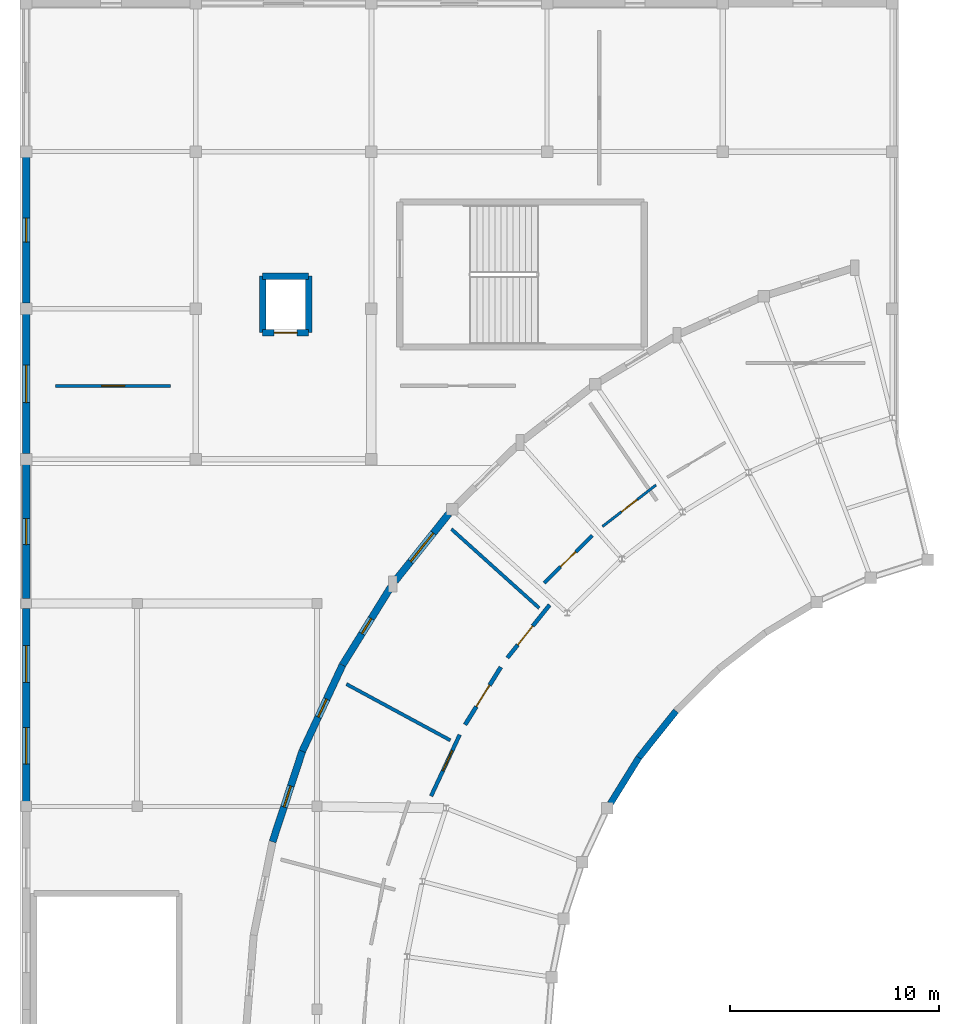
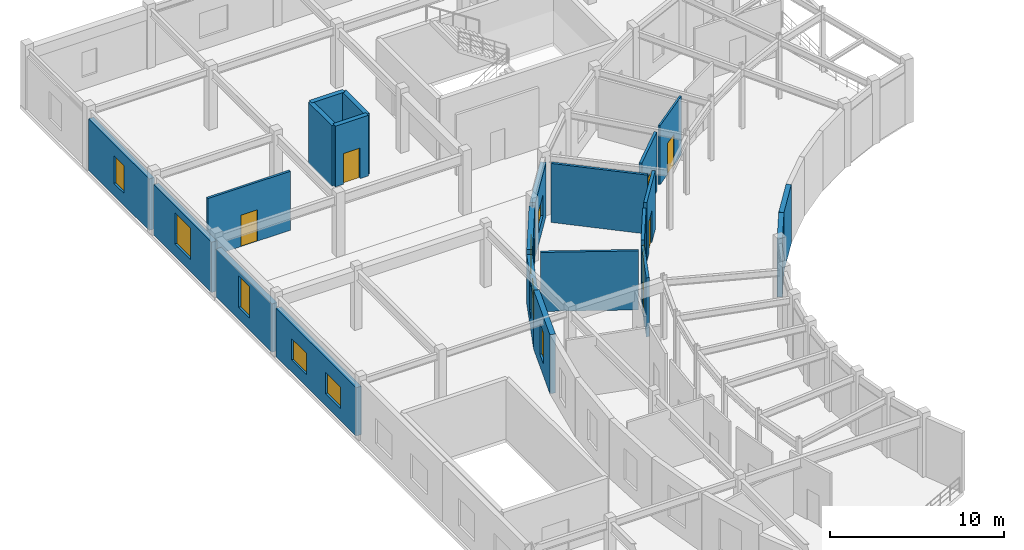
# One storey, part 42 of 60: 22 walls, 9 windows, 7 doors, 16 openings.
"""IFC4 building model written with IfcOpenShell, lengths in metres."""

import ifcopenshell
import ifcopenshell.guid

model = None  # the IFC model being written
_history = None  # IfcOwnerHistory: only IFC2X3 demands one
_inside = {}  # id of a spatial element -> (the spatial element, [elements in it])
_under = {}  # id of a project, library or spatial element -> (it, [spatial elements below it])
_declared = {}  # id of a project -> (the project, [libraries it declares])
_typed = {}  # id of a type object -> (the type object, [elements of that type])
_made_of = {}  # id of a material, layer set ... -> (it, [elements and type objects made of it])


def new_model(schema):
    """Start an empty IFC model of exactly this schema.

    Asked for "IFC4X3", IfcOpenShell would pick the latest addendum, in which some entities
    have other attributes; the version numbers below select the first issue.
    IFC2X3 requires an IfcOwnerHistory on every rooted entity: one is made here for all.
    """
    global model, _history
    if schema == "IFC4X3":
        model = ifcopenshell.file(schema_version=(4, 3, 0, 0))
    else:
        model = ifcopenshell.file(schema=schema)
    _inside.clear()
    _under.clear()
    _declared.clear()
    _typed.clear()
    _made_of.clear()
    _history = None
    if model.schema == "IFC2X3":
        org = make("IfcOrganization", Name="unknown")
        user = make(
            "IfcPersonAndOrganization",
            ThePerson=make("IfcPerson", FamilyName="unknown"),
            TheOrganization=org,
        )
        app = make(
            "IfcApplication",
            ApplicationDeveloper=org,
            Version="unknown",
            ApplicationFullName="unknown",
            ApplicationIdentifier="unknown",
        )
        _history = make(
            "IfcOwnerHistory",
            OwningUser=user,
            OwningApplication=app,
            ChangeAction="ADDED",
            CreationDate=0,
        )
    return model


def make(cls, **values):
    """One entity of the class cls with the attributes given. An attribute that is None is left unset."""
    return model.create_entity(
        cls, **{name: value for name, value in values.items() if value is not None}
    )


def rooted(cls, **values):
    """An entity with a GlobalId (a new one), such as an element, a storey or a relation."""
    return make(cls, GlobalId=ifcopenshell.guid.new(), OwnerHistory=_history, **values)


def si_unit(unit_type, name, prefix=None):
    """IfcSIUnit, for example si_unit("LENGTHUNIT", "METRE", prefix="MILLI")."""
    return make("IfcSIUnit", UnitType=unit_type, Prefix=prefix, Name=name)


def assignment(units):
    """IfcUnitAssignment: the units of a project."""
    return None if units is None else make("IfcUnitAssignment", Units=units)


def point(xyz):
    """IfcCartesianPoint."""
    return None if xyz is None else make("IfcCartesianPoint", Coordinates=xyz)


def direction(xyz):
    """IfcDirection."""
    return None if xyz is None else make("IfcDirection", DirectionRatios=xyz)


def frame(location, z_axis=None, x_axis=None):
    """IfcAxis2Placement3D, a coordinate frame: its origin and axes. An axis left out is left unset."""
    return make(
        "IfcAxis2Placement3D",
        Location=point(location),
        Axis=direction(z_axis),
        RefDirection=direction(x_axis),
    )


def frame_2d(location, x_axis=None):
    """IfcAxis2Placement2D, a coordinate frame in the plane: its origin and x axis."""
    return make(
        "IfcAxis2Placement2D", Location=point(location), RefDirection=direction(x_axis)
    )


def origin():
    """The frame at (0, 0, 0) with its axes left unset."""
    return frame((0.0, 0.0, 0.0))


def place(relative_to, where):
    """IfcLocalPlacement: puts the frame where relative to a parent placement (None: the world)."""
    return make(
        "IfcLocalPlacement", PlacementRelTo=relative_to, RelativePlacement=where
    )


def context(
    kind, dimensions, precision=None, world=None, true_north=None, identifier=None
):
    """IfcGeometricRepresentationContext, for example the 3D "Model" context."""
    return make(
        "IfcGeometricRepresentationContext",
        ContextIdentifier=identifier,
        ContextType=kind,
        CoordinateSpaceDimension=dimensions,
        Precision=precision,
        WorldCoordinateSystem=world,
        TrueNorth=true_north,
    )


def subcontext(parent, identifier, kind, view, scale=None):
    """IfcGeometricRepresentationSubContext, for example "Body" below "Model"."""
    return make(
        "IfcGeometricRepresentationSubContext",
        ContextIdentifier=identifier,
        ContextType=kind,
        ParentContext=parent,
        TargetScale=scale,
        TargetView=view,
    )


def project(units=None, contexts=None):
    """IfcProject with its units and contexts."""
    return rooted(
        "IfcProject",
        Name="project",
        RepresentationContexts=contexts,
        UnitsInContext=assignment(units),
    )


def spatial(cls, under=None, at=None, **own):
    """A site, building, storey or space (cls), placed at a placement, below another one or the project."""
    s = rooted(cls, ObjectPlacement=at, **own)
    if under is not None:
        _under.setdefault(under.id(), (under, []))[1].append(s)
    return s


def profile(cls, at=None, kind="AREA", **sizes):
    """A parametric profile (cls). Its sizes go by their IFC names, for example OverallWidth=200.0."""
    return make(cls, ProfileType=kind, Position=at, **sizes)


def rectangle(**sizes):
    """IfcRectangleProfileDef."""
    return profile("IfcRectangleProfileDef", **sizes)


def extrude(swept, where, along, depth):
    """IfcExtrudedAreaSolid: the profile swept, set in the frame where, extruded along a direction by depth."""
    return make(
        "IfcExtrudedAreaSolid",
        SweptArea=swept,
        Position=where,
        ExtrudedDirection=direction(along),
        Depth=depth,
    )


def shape(context_of_items, identifier, shape_type, items):
    """IfcShapeRepresentation: the items that make up one representation, for example the "Body"."""
    return make(
        "IfcShapeRepresentation",
        ContextOfItems=context_of_items,
        RepresentationIdentifier=identifier,
        RepresentationType=shape_type,
        Items=items,
    )


def material(Name=None, Category=None):
    """IfcMaterial."""
    return make("IfcMaterial", Name=Name, Category=Category)


def layer(
    of_material, thickness, ventilated=None, Name=None, Category=None, Priority=None
):
    """IfcMaterialLayer: one layer of a wall or slab, of a material (None: an air gap)."""
    return make(
        "IfcMaterialLayer",
        Material=of_material,
        LayerThickness=thickness,
        IsVentilated=ventilated,
        Name=Name,
        Category=Category,
        Priority=Priority,
    )


def layer_set(layers, Name=None):
    """IfcMaterialLayerSet."""
    return make("IfcMaterialLayerSet", MaterialLayers=layers, LayerSetName=Name)


def made_of(thing, what):
    """Note that an element or type object is made of a material, layer set ...; save() writes the relation."""
    if what is not None:
        _made_of.setdefault(what.id(), (what, []))[1].append(thing)
    return thing


def type_object(cls, material=None, **own):
    """A type object (cls), such as IfcWallType, which elements share."""
    return made_of(rooted(cls, **own), material)


def element(
    cls,
    number,
    at=None,
    inside=None,
    cuts=None,
    type_object=None,
    material=None,
    context=None,
    identifier="Body",
    shape_type=None,
    held_by="IfcProductDefinitionShape",
    body=None,
    shapes=None,
    **own,
):
    """One element of the class cls, such as IfcWall. Its Tag is "e" and its number.

    at: its placement. inside: the storey or other place that contains it. cuts: it is an
    opening in that element (IfcRelVoidsElement). A single representation is given by context,
    identifier, shape_type and body (its items); several are given by shapes. held_by: the class
    of the entity that holds the representations. save() writes the other relations.
    """
    e = rooted(cls, Tag="e%d" % number, ObjectPlacement=at, **own)
    if body is not None:
        shapes = [shape(context, identifier, shape_type, body)]
    if shapes is not None:
        e.Representation = make(held_by, Representations=shapes)
    if inside is not None:
        _inside.setdefault(inside.id(), (inside, []))[1].append(e)
    if cuts is not None:
        rooted(
            "IfcRelVoidsElement", RelatingBuildingElement=cuts, RelatedOpeningElement=e
        )
    if type_object is not None:
        _typed.setdefault(type_object.id(), (type_object, []))[1].append(e)
    return made_of(e, material)


def fill(opening, filler):
    """IfcRelFillsElement: the door or window that sits in an opening."""
    return rooted(
        "IfcRelFillsElement",
        RelatingOpeningElement=opening,
        RelatedBuildingElement=filler,
    )


def aggregate(whole, parts):
    """IfcRelAggregates: a whole, such as a stair, and the parts it consists of."""
    return rooted("IfcRelAggregates", RelatingObject=whole, RelatedObjects=parts)


def save(model, path):
    """Write the relations noted so far, then the file.

    IfcRelAggregates (storeys below a building ...), IfcRelContainedInSpatialStructure (elements
    in a storey), IfcRelDefinesByType, IfcRelAssociatesMaterial and IfcRelDeclares: one each for
    every whole, place, type object, material and project.
    """
    for whole, parts in _under.values():
        aggregate(whole, parts)
    for where, things in _inside.values():
        rooted(
            "IfcRelContainedInSpatialStructure",
            RelatedElements=things,
            RelatingStructure=where,
        )
    for kind, things in _typed.values():
        rooted("IfcRelDefinesByType", RelatedObjects=things, RelatingType=kind)
    for what, things in _made_of.values():
        rooted("IfcRelAssociatesMaterial", RelatedObjects=things, RelatingMaterial=what)
    for by, libraries in _declared.values():
        rooted("IfcRelDeclares", RelatingContext=by, RelatedDefinitions=libraries)
    model.write(path)


model = new_model("IFC4")

# Units and contexts
model_context = context("Model", 3, precision=1e-05, world=origin(), true_north=direction((0.0, 1.0)))
body_context = subcontext(model_context, "Body", "Model", "MODEL_VIEW")
ifc_project = project(units=[si_unit("LENGTHUNIT", "METRE"), si_unit("AREAUNIT", "SQUARE_METRE"), si_unit("VOLUMEUNIT", "CUBIC_METRE"), si_unit("PLANEANGLEUNIT", "RADIAN"), si_unit("MASSUNIT", "GRAM", prefix="KILO")], contexts=[model_context])

# Site, building, storey
site_placement = place(None, origin())
site = spatial("IfcSite", under=ifc_project, at=site_placement, CompositionType="ELEMENT")
building_placement = place(site_placement, origin())
building = spatial("IfcBuilding", under=site, at=building_placement, Name="Cinderbank Siding Concert Hall", CompositionType="ELEMENT")
storey_placement = place(building_placement, frame((0.0, 0.0, 14.699951171875)))
storey = spatial("IfcBuildingStorey", under=building, at=storey_placement, Name="L04", CompositionType="ELEMENT", Elevation=14.699951171875)

# Wall, opening, door
ifc_material_1 = material(Name="Reinforced concrete AS 3600 N50 (50 MPa)", Category="concrete")
ifc_layer_1 = layer(ifc_material_1, 0.300048828125)
ifc_layer_set_1 = layer_set([ifc_layer_1], Name="Reinforced concrete AS 3600 N50 (50 MPa)")
wall_type_1 = type_object("IfcWallType", Name="WL-03 Structural Wall 300mm", PredefinedType="SHEAR", material=ifc_layer_set_1)
wall_1_placement = place(storey_placement, frame((20.60009765625, 102.14990234375, 0.0), z_axis=(0.0, 0.0, 1.0), x_axis=(-1.0, 0.0, 0.0)))
wall_1 = element("IfcWall", 1, at=wall_1_placement, inside=storey, type_object=wall_type_1, Name="L04 LF-06 Shaft Wall -Y", PredefinedType="SHEAR", context=body_context, shape_type="SweptSolid", body=[
    extrude(rectangle(XDim=2.2001953125, YDim=0.300048828125, at=frame_2d((1.10009765625, 0.0))), origin(), (0.0, 0.0, 1.0), 4.260009765625),
])
opening_1_placement = place(wall_1_placement, frame((0.550048828125, 0.0, 0.0)))
opening_1 = element("IfcOpeningElement", 2, at=opening_1_placement, cuts=wall_1, Name="Opening LD-01", PredefinedType="OPENING", context=body_context, shape_type="SweptSolid", body=[
    extrude(rectangle(XDim=1.10009765625, YDim=2.14990234375, at=frame_2d((0.550048828125, 1.074951171875))), frame((0.0, 0.162109375, 0.0), z_axis=(0.0, -1.0, 0.0), x_axis=(1.0, 0.0, 0.0)), (0.0, 0.0, 1.0), 0.323974609375),
])
ifc_material_2 = material(Name="Galvanised sheet steel acoustic fire door assembly", Category="steel")
door_type_1 = type_object("IfcDoorType", Name="LD-01 Interior Door 1100x2150", OperationType="DOUBLE_DOOR_SLIDING", PredefinedType="DOOR", material=ifc_material_2)
door_1_placement = place(opening_1_placement, origin())
door_1 = element("IfcDoor", 3, at=door_1_placement, inside=storey, type_object=door_type_1, Name="L04 LF-06 Sliding Landing Door", OperationType="DOUBLE_DOOR_SLIDING", OverallHeight=2.14990234375, OverallWidth=1.10009765625, PredefinedType="DOOR", context=body_context, shape_type="SweptSolid", body=[
    extrude(rectangle(XDim=1.10009765625, YDim=2.14990234375, at=frame_2d((0.550048828125, 1.074951171875))), frame((0.0, 0.02490234375, 0.0), z_axis=(0.0, -1.0, 0.0), x_axis=(1.0, 0.0, 0.0)), (0.0, 0.0, 1.0), 0.050048828125),
])
fill(opening_1, door_1)

# Walls
wall_2_placement = place(storey_placement, frame((20.60009765625, 104.85009765625, 0.0), z_axis=(0.0, 0.0, 1.0), x_axis=(0.0, -1.0, 0.0)))
element("IfcWall", 4, at=wall_2_placement, inside=storey, type_object=wall_type_1, Name="L04 LF-06 Shaft Wall +X", PredefinedType="SHEAR", context=body_context, shape_type="SweptSolid", body=[
    extrude(rectangle(XDim=2.7001953125, YDim=0.300048828125, at=frame_2d((1.35009765625, 0.0))), origin(), (0.0, 0.0, 1.0), 4.260009765625),
])
wall_3_placement = place(storey_placement, frame((18.39990234375, 104.85009765625, 0.0), z_axis=(0.0, 0.0, 1.0), x_axis=(1.0, 0.0, 0.0)))
element("IfcWall", 5, at=wall_3_placement, inside=storey, type_object=wall_type_1, Name="L04 LF-06 Shaft Wall +Y", PredefinedType="SHEAR", context=body_context, shape_type="SweptSolid", body=[
    extrude(rectangle(XDim=2.2001953125, YDim=0.300048828125, at=frame_2d((1.10009765625, 0.0))), origin(), (0.0, 0.0, 1.0), 4.260009765625),
])
wall_4_placement = place(storey_placement, frame((18.39990234375, 102.14990234375, 0.0), z_axis=(0.0, 0.0, 1.0), x_axis=(0.0, 1.0, 0.0)))
element("IfcWall", 6, at=wall_4_placement, inside=storey, type_object=wall_type_1, Name="L04 LF-06 Shaft Wall -X", PredefinedType="SHEAR", context=body_context, shape_type="SweptSolid", body=[
    extrude(rectangle(XDim=2.7001953125, YDim=0.300048828125, at=frame_2d((1.35009765625, 0.0))), origin(), (0.0, 0.0, 1.0), 4.260009765625),
])

# Wall, opening, window
ifc_material_3 = material(Name="Clinker clay brickwork masonry AS 3700 (20 MPa)", Category="masonry")
ifc_layer_2 = layer(ifc_material_3, 0.340087890625)
ifc_layer_set_2 = layer_set([ifc_layer_2], Name="Clinker clay brickwork masonry AS 3700 (20 MPa)")
wall_type_2 = type_object("IfcWallType", Name="WL-07 Exterior Wall 340mm", PredefinedType="STANDARD", material=ifc_layer_set_2)
wall_5_placement = place(storey_placement, frame((27.301025390625, 93.491455078125, 0.0), z_axis=(0.0, 0.0, 1.0), x_axis=(-0.623868827064, -0.781529069592, 0.0)))
wall_5 = element("IfcWall", 7, at=wall_5_placement, inside=storey, type_object=wall_type_2, Name="L04 Facade Wall EW-WOUT-L04-06", PredefinedType="STANDARD", context=body_context, shape_type="SweptSolid", body=[
    extrude(rectangle(XDim=4.10986328125, YDim=0.340087890625, at=frame_2d((2.054931640625, 0.0))), origin(), (0.0, 0.0, 1.0), 3.797119140625),
])
opening_2_placement = place(wall_5_placement, frame((1.179931640625, 0.0, 0.85009765625)))
opening_2 = element("IfcOpeningElement", 8, at=opening_2_placement, cuts=wall_5, Name="Opening WN-30", PredefinedType="OPENING", context=body_context, shape_type="SweptSolid", body=[
    extrude(rectangle(XDim=1.75, YDim=1.5, at=frame_2d((0.875, 0.75))), frame((0.0, 0.18212890625, 0.0), z_axis=(0.0, -1.0, 0.0), x_axis=(1.0, 0.0, 0.0)), (0.0, 0.0, 1.0), 0.364013671875),
])
ifc_material_4 = material(Name="Double-glazed laminated acoustic glass", Category="glass")
window_type_1 = type_object("IfcWindowType", Name="WN-30 Acoustic Casement Window 1750x1500", PartitioningType="DOUBLE_PANEL_VERTICAL", PredefinedType="WINDOW", material=ifc_material_4)
window_1_placement = place(opening_2_placement, origin())
window_1 = element("IfcWindow", 9, at=window_1_placement, inside=storey, type_object=window_type_1, Name="L04 Facade Window #46", OverallHeight=1.5, OverallWidth=1.75, PartitioningType="DOUBLE_PANEL_VERTICAL", PredefinedType="WINDOW", context=body_context, shape_type="SweptSolid", body=[
    extrude(rectangle(XDim=1.75, YDim=1.5, at=frame_2d((0.875, 0.75))), frame((0.0, 0.030029296875, 0.0), z_axis=(0.0, -1.0, 0.0), x_axis=(1.0, 0.0, 0.0)), (0.0, 0.0, 1.0), 0.06005859375),
])
fill(opening_2, window_1)

wall_6_placement = place(storey_placement, frame((24.524169921875, 89.977783203125, 0.0), z_axis=(0.0, 0.0, 1.0), x_axis=(-0.526962268349, -0.849888679614, 0.0)))
wall_6 = element("IfcWall", 10, at=wall_6_placement, inside=storey, type_object=wall_type_2, Name="L04 Facade Wall EW-WOUT-L04-07", PredefinedType="STANDARD", context=body_context, shape_type="SweptSolid", body=[
    extrude(rectangle(XDim=4.369873046875, YDim=0.340087890625, at=frame_2d((2.18505859375, 0.0))), origin(), (0.0, 0.0, 1.0), 3.797119140625),
])
opening_3_placement = place(wall_6_placement, frame((1.759765625, 0.0, 0.85009765625)))
opening_3 = element("IfcOpeningElement", 11, at=opening_3_placement, cuts=wall_6, Name="Opening WN-01", PredefinedType="OPENING", context=body_context, shape_type="SweptSolid", body=[
    extrude(rectangle(XDim=0.85009765625, YDim=2.199951171875, at=frame_2d((0.425048828125, 1.10009765625))), frame((0.0, 0.18212890625, 0.0), z_axis=(0.0, -1.0, 0.0), x_axis=(1.0, 0.0, 0.0)), (0.0, 0.0, 1.0), 0.364013671875),
])
window_type_2 = type_object("IfcWindowType", Name="WN-01 Acoustic Casement Window 850x2200", PartitioningType="DOUBLE_PANEL_VERTICAL", PredefinedType="WINDOW", material=ifc_material_4)
window_2_placement = place(opening_3_placement, origin())
window_2 = element("IfcWindow", 12, at=window_2_placement, inside=storey, type_object=window_type_2, Name="L04 Facade Window #47", OverallHeight=2.199951171875, OverallWidth=0.85009765625, PartitioningType="DOUBLE_PANEL_VERTICAL", PredefinedType="WINDOW", context=body_context, shape_type="SweptSolid", body=[
    extrude(rectangle(XDim=0.85009765625, YDim=2.199951171875, at=frame_2d((0.425048828125, 1.10009765625))), frame((0.0, 0.030029296875, 0.0), z_axis=(0.0, -1.0, 0.0), x_axis=(1.0, 0.0, 0.0)), (0.0, 0.0, 1.0), 0.06005859375),
])
fill(opening_3, window_2)

wall_7_placement = place(storey_placement, frame((22.221435546875, 86.263916015625, 0.0), z_axis=(0.0, 0.0, 1.0), x_axis=(-0.422603737243, -0.90631455978, 0.0)))
wall_7 = element("IfcWall", 13, at=wall_7_placement, inside=storey, type_object=wall_type_2, Name="L04 Facade Wall EW-WOUT-L04-08", PredefinedType="STANDARD", context=body_context, shape_type="SweptSolid", body=[
    extrude(rectangle(XDim=4.5546875, YDim=0.340087890625, at=frame_2d((2.27734375, 0.0))), origin(), (0.0, 0.0, 1.0), 3.447021484375),
])
opening_4_placement = place(wall_7_placement, frame((1.802490234375, 0.0, 0.85009765625)))
opening_4 = element("IfcOpeningElement", 14, at=opening_4_placement, cuts=wall_7, Name="Opening WN-02", PredefinedType="OPENING", context=body_context, shape_type="SweptSolid", body=[
    extrude(rectangle(XDim=0.949951171875, YDim=2.199951171875, at=frame_2d((0.47509765625, 1.10009765625))), frame((0.0, 0.18212890625, 0.0), z_axis=(0.0, -1.0, 0.0), x_axis=(1.0, 0.0, 0.0)), (0.0, 0.0, 1.0), 0.364013671875),
])
window_type_3 = type_object("IfcWindowType", Name="WN-02 Acoustic Casement Window 950x2200", PartitioningType="DOUBLE_PANEL_VERTICAL", PredefinedType="WINDOW", material=ifc_material_4)
window_3_placement = place(opening_4_placement, origin())
window_3 = element("IfcWindow", 15, at=window_3_placement, inside=storey, type_object=window_type_3, Name="L04 Facade Window #48", OverallHeight=2.199951171875, OverallWidth=0.949951171875, PartitioningType="DOUBLE_PANEL_VERTICAL", PredefinedType="WINDOW", context=body_context, shape_type="SweptSolid", body=[
    extrude(rectangle(XDim=0.949951171875, YDim=2.199951171875, at=frame_2d((0.47509765625, 1.10009765625))), frame((0.0, 0.030029296875, 0.0), z_axis=(0.0, -1.0, 0.0), x_axis=(1.0, 0.0, 0.0)), (0.0, 0.0, 1.0), 0.06005859375),
])
fill(opening_4, window_3)

wall_8_placement = place(storey_placement, frame((20.296630859375, 82.135986328125, 0.0), z_axis=(0.0, 0.0, 1.0), x_axis=(-0.312333665048, -0.949972463642, 0.0)))
wall_8 = element("IfcWall", 16, at=wall_8_placement, inside=storey, type_object=wall_type_2, Name="L04 Facade Wall EW-WOUT-L04-09", PredefinedType="STANDARD", context=body_context, shape_type="SweptSolid", body=[
    extrude(rectangle(XDim=4.5546875, YDim=0.340087890625, at=frame_2d((2.27734375, 0.0))), origin(), (0.0, 0.0, 1.0), 4.14501953125),
])
opening_5_placement = place(wall_8_placement, frame((1.75244140625, 0.0, 0.85009765625)))
opening_5 = element("IfcOpeningElement", 17, at=opening_5_placement, cuts=wall_8, Name="Opening WN-03", PredefinedType="OPENING", context=body_context, shape_type="SweptSolid", body=[
    extrude(rectangle(XDim=1.050048828125, YDim=2.199951171875, at=frame_2d((0.52490234375, 1.10009765625))), frame((0.0, 0.18212890625, 0.0), z_axis=(0.0, -1.0, 0.0), x_axis=(1.0, 0.0, 0.0)), (0.0, 0.0, 1.0), 0.364013671875),
])
window_type_4 = type_object("IfcWindowType", Name="WN-03 Acoustic Casement Window 1050x2200", PartitioningType="DOUBLE_PANEL_VERTICAL", PredefinedType="WINDOW", material=ifc_material_4)
window_4_placement = place(opening_5_placement, origin())
window_4 = element("IfcWindow", 18, at=window_4_placement, inside=storey, type_object=window_type_4, Name="L04 Facade Window #49", OverallHeight=2.199951171875, OverallWidth=1.050048828125, PartitioningType="DOUBLE_PANEL_VERTICAL", PredefinedType="WINDOW", context=body_context, shape_type="SweptSolid", body=[
    extrude(rectangle(XDim=1.050048828125, YDim=2.199951171875, at=frame_2d((0.52490234375, 1.10009765625))), frame((0.0, 0.030029296875, 0.0), z_axis=(0.0, -1.0, 0.0), x_axis=(1.0, 0.0, 0.0)), (0.0, 0.0, 1.0), 0.06005859375),
])
fill(opening_5, window_4)

# Wall, openings, windows
wall_9_placement = place(storey_placement, frame((7.10009765625, 79.735107421875, 0.0), z_axis=(0.0, 0.0, 1.0), x_axis=(0.0, 1.0, 0.0)))
wall_9 = element("IfcWall", 19, at=wall_9_placement, inside=storey, type_object=wall_type_2, Name="L04 Facade Wall EW-WL-W4-L04", PredefinedType="STANDARD", context=body_context, shape_type="SweptSolid", body=[
    extrude(rectangle(XDim=9.22998046875, YDim=0.340087890625, at=frame_2d((4.614990234375, 0.0))), origin(), (0.0, 0.0, 1.0), 3.39697265625),
])
opening_6_placement = place(wall_9_placement, frame((1.782470703125, 0.0, 0.85009765625)))
opening_6 = element("IfcOpeningElement", 20, at=opening_6_placement, cuts=wall_9, Name="Opening WN-30", PredefinedType="OPENING", context=body_context, shape_type="SweptSolid", body=[
    extrude(rectangle(XDim=1.75, YDim=1.5, at=frame_2d((0.875, 0.75))), frame((0.0, 0.18212890625, 0.0), z_axis=(0.0, -1.0, 0.0), x_axis=(1.0, 0.0, 0.0)), (0.0, 0.0, 1.0), 0.364013671875),
])
opening_7_placement = place(wall_9_placement, frame((5.697509765625, 0.0, 0.85009765625)))
opening_7 = element("IfcOpeningElement", 21, at=opening_7_placement, cuts=wall_9, Name="Opening WN-30", PredefinedType="OPENING", context=body_context, shape_type="SweptSolid", body=[
    extrude(rectangle(XDim=1.75, YDim=1.5, at=frame_2d((0.875, 0.75))), frame((0.0, 0.18212890625, 0.0), z_axis=(0.0, -1.0, 0.0), x_axis=(1.0, 0.0, 0.0)), (0.0, 0.0, 1.0), 0.364013671875),
])
window_5_placement = place(opening_6_placement, origin())
window_5 = element("IfcWindow", 22, at=window_5_placement, inside=storey, type_object=window_type_1, Name="L04 Facade Window #108", OverallHeight=1.5, OverallWidth=1.75, PartitioningType="DOUBLE_PANEL_VERTICAL", PredefinedType="WINDOW", context=body_context, shape_type="SweptSolid", body=[
    extrude(rectangle(XDim=1.75, YDim=1.5, at=frame_2d((0.875, 0.75))), frame((0.0, 0.030029296875, 0.0), z_axis=(0.0, -1.0, 0.0), x_axis=(1.0, 0.0, 0.0)), (0.0, 0.0, 1.0), 0.06005859375),
])
fill(opening_6, window_5)
window_6_placement = place(opening_7_placement, origin())
window_6 = element("IfcWindow", 23, at=window_6_placement, inside=storey, type_object=window_type_1, Name="L04 Facade Window #109", OverallHeight=1.5, OverallWidth=1.75, PartitioningType="DOUBLE_PANEL_VERTICAL", PredefinedType="WINDOW", context=body_context, shape_type="SweptSolid", body=[
    extrude(rectangle(XDim=1.75, YDim=1.5, at=frame_2d((0.875, 0.75))), frame((0.0, 0.030029296875, 0.0), z_axis=(0.0, -1.0, 0.0), x_axis=(1.0, 0.0, 0.0)), (0.0, 0.0, 1.0), 0.06005859375),
])
fill(opening_7, window_6)

# Wall, opening, window
wall_10_placement = place(storey_placement, frame((7.10009765625, 89.43505859375, 0.0), z_axis=(0.0, 0.0, 1.0), x_axis=(0.0, 1.0, 0.0)))
wall_10 = element("IfcWall", 24, at=wall_10_placement, inside=storey, type_object=wall_type_2, Name="L04 Facade Wall EW-WL-W5-L04", PredefinedType="STANDARD", context=body_context, shape_type="SweptSolid", body=[
    extrude(rectangle(XDim=6.405029296875, YDim=0.340087890625, at=frame_2d((3.20263671875, 0.0))), origin(), (0.0, 0.0, 1.0), 3.39697265625),
])
opening_8_placement = place(wall_10_placement, frame((2.577392578125, 0.0, 0.85009765625)))
opening_8 = element("IfcOpeningElement", 25, at=opening_8_placement, cuts=wall_10, Name="Opening WN-05", PredefinedType="OPENING", context=body_context, shape_type="SweptSolid", body=[
    extrude(rectangle(XDim=1.25, YDim=2.199951171875, at=frame_2d((0.625, 1.10009765625))), frame((0.0, 0.18212890625, 0.0), z_axis=(0.0, -1.0, 0.0), x_axis=(1.0, 0.0, 0.0)), (0.0, 0.0, 1.0), 0.364013671875),
])
window_type_5 = type_object("IfcWindowType", Name="WN-05 Acoustic Casement Window 1250x2200", PartitioningType="DOUBLE_PANEL_VERTICAL", PredefinedType="WINDOW", material=ifc_material_4)
window_7_placement = place(opening_8_placement, origin())
window_7 = element("IfcWindow", 26, at=window_7_placement, inside=storey, type_object=window_type_5, Name="L04 Facade Window #113", OverallHeight=2.199951171875, OverallWidth=1.25, PartitioningType="DOUBLE_PANEL_VERTICAL", PredefinedType="WINDOW", context=body_context, shape_type="SweptSolid", body=[
    extrude(rectangle(XDim=1.25, YDim=2.199951171875, at=frame_2d((0.625, 1.10009765625))), frame((0.0, 0.030029296875, 0.0), z_axis=(0.0, -1.0, 0.0), x_axis=(1.0, 0.0, 0.0)), (0.0, 0.0, 1.0), 0.06005859375),
])
fill(opening_8, window_7)

wall_11_placement = place(storey_placement, frame((7.10009765625, 96.360107421875, 0.0), z_axis=(0.0, 0.0, 1.0), x_axis=(0.0, 1.0, 0.0)))
wall_11 = element("IfcWall", 27, at=wall_11_placement, inside=storey, type_object=wall_type_2, Name="L04 Facade Wall EW-NW-W1-L04", PredefinedType="STANDARD", context=body_context, shape_type="SweptSolid", body=[
    extrude(rectangle(XDim=6.679931640625, YDim=0.340087890625, at=frame_2d((3.33984375, 0.0))), origin(), (0.0, 0.0, 1.0), 3.544921875),
])
opening_9_placement = place(wall_11_placement, frame((2.43994140625, 0.0, 0.85009765625)))
opening_9 = element("IfcOpeningElement", 28, at=opening_9_placement, cuts=wall_11, Name="Opening WN-08", PredefinedType="OPENING", context=body_context, shape_type="SweptSolid", body=[
    extrude(rectangle(XDim=1.800048828125, YDim=2.199951171875, at=frame_2d((0.89990234375, 1.10009765625))), frame((0.0, 0.18212890625, 0.0), z_axis=(0.0, -1.0, 0.0), x_axis=(1.0, 0.0, 0.0)), (0.0, 0.0, 1.0), 0.364013671875),
])
window_type_6 = type_object("IfcWindowType", Name="WN-08 Acoustic Casement Window 1800x2200", PartitioningType="DOUBLE_PANEL_VERTICAL", PredefinedType="WINDOW", material=ifc_material_4)
window_8_placement = place(opening_9_placement, origin())
window_8 = element("IfcWindow", 29, at=window_8_placement, inside=storey, type_object=window_type_6, Name="L04 Facade Window #116", OverallHeight=2.199951171875, OverallWidth=1.800048828125, PartitioningType="DOUBLE_PANEL_VERTICAL", PredefinedType="WINDOW", context=body_context, shape_type="SweptSolid", body=[
    extrude(rectangle(XDim=1.800048828125, YDim=2.199951171875, at=frame_2d((0.89990234375, 1.10009765625))), frame((0.0, 0.030029296875, 0.0), z_axis=(0.0, -1.0, 0.0), x_axis=(1.0, 0.0, 0.0)), (0.0, 0.0, 1.0), 0.06005859375),
])
fill(opening_9, window_8)

wall_12_placement = place(storey_placement, frame((7.10009765625, 103.56005859375, 0.0), z_axis=(0.0, 0.0, 1.0), x_axis=(0.0, 1.0, 0.0)))
wall_12 = element("IfcWall", 30, at=wall_12_placement, inside=storey, type_object=wall_type_2, Name="L04 Facade Wall EW-NW-W2-L04", PredefinedType="STANDARD", context=body_context, shape_type="SweptSolid", body=[
    extrude(rectangle(XDim=6.97998046875, YDim=0.340087890625, at=frame_2d((3.489990234375, 0.0))), origin(), (0.0, 0.0, 1.0), 3.618896484375),
])
opening_10_placement = place(wall_12_placement, frame((2.9150390625, 0.0, 0.85009765625)))
opening_10 = element("IfcOpeningElement", 31, at=opening_10_placement, cuts=wall_12, Name="Opening WN-12", PredefinedType="OPENING", context=body_context, shape_type="SweptSolid", body=[
    extrude(rectangle(XDim=1.14990234375, YDim=1.949951171875, at=frame_2d((0.574951171875, 0.97509765625))), frame((0.0, 0.18212890625, 0.0), z_axis=(0.0, -1.0, 0.0), x_axis=(1.0, 0.0, 0.0)), (0.0, 0.0, 1.0), 0.364013671875),
])
window_type_7 = type_object("IfcWindowType", Name="WN-12 Acoustic Casement Window 1150x1950", PartitioningType="DOUBLE_PANEL_VERTICAL", PredefinedType="WINDOW", material=ifc_material_4)
window_9_placement = place(opening_10_placement, origin())
window_9 = element("IfcWindow", 32, at=window_9_placement, inside=storey, type_object=window_type_7, Name="L04 Facade Window #120", OverallHeight=1.949951171875, OverallWidth=1.14990234375, PartitioningType="DOUBLE_PANEL_VERTICAL", PredefinedType="WINDOW", context=body_context, shape_type="SweptSolid", body=[
    extrude(rectangle(XDim=1.14990234375, YDim=1.949951171875, at=frame_2d((0.574951171875, 0.97509765625))), frame((0.0, 0.030029296875, 0.0), z_axis=(0.0, -1.0, 0.0), x_axis=(1.0, 0.0, 0.0)), (0.0, 0.0, 1.0), 0.06005859375),
])
fill(opening_10, window_9)

# Walls
ifc_layer_3 = layer(ifc_material_3, 0.31005859375)
ifc_layer_set_3 = layer_set([ifc_layer_3], Name="Clinker clay brickwork masonry AS 3700 (20 MPa)")
wall_type_3 = type_object("IfcWallType", Name="WL-08 Exterior Wall 310mm", PredefinedType="STANDARD", material=ifc_layer_set_3)
wall_13_placement = place(storey_placement, frame((38.16455078125, 84.05908203125, 0.0), z_axis=(0.0, 0.0, 1.0), x_axis=(-0.623931242435, -0.781479241384, 0.0)))
element("IfcWall", 33, at=wall_13_placement, inside=storey, type_object=wall_type_3, Name="L04 Facade Wall EW-WIN-L04-06", PredefinedType="STANDARD", context=body_context, shape_type="SweptSolid", body=[
    extrude(rectangle(XDim=2.8466796875, YDim=0.31005859375, at=frame_2d((1.42333984375, 0.0))), origin(), (0.0, 0.0, 1.0), 4.14501953125),
])
wall_14_placement = place(storey_placement, frame((36.388427734375, 81.83447265625, 0.0), z_axis=(0.0, 0.0, 1.0), x_axis=(-0.52693285133, -0.849906918544, 0.0)))
element("IfcWall", 34, at=wall_14_placement, inside=storey, type_object=wall_type_3, Name="L04 Facade Wall EW-WIN-L04-07", PredefinedType="STANDARD", context=body_context, shape_type="SweptSolid", body=[
    extrude(rectangle(XDim=2.586669921875, YDim=0.31005859375, at=frame_2d((1.29345703125, 0.0))), origin(), (0.0, 0.0, 1.0), 4.14501953125),
])

# Wall, opening, door
ifc_material_5 = material(Name="Acoustic plasterboard on light-gauge steel studs", Category="gypsum")
ifc_layer_4 = layer(ifc_material_5, 0.199951171875)
ifc_layer_set_4 = layer_set([ifc_layer_4], Name="Acoustic plasterboard on light-gauge steel studs")
wall_type_4 = type_object("IfcWallType", Name="WL-12 Interior Wall 200mm", PredefinedType="PARTITIONING", material=ifc_layer_set_4)
wall_15_placement = place(storey_placement, frame((29.78759765625, 86.15673828125, 0.0), z_axis=(0.0, 0.0, 1.0), x_axis=(-0.526951653894, -0.849895260875, 0.0)))
wall_15 = element("IfcWall", 35, at=wall_15_placement, inside=storey, type_object=wall_type_4, Name="L04 Partition Studio Bay W07", PredefinedType="PARTITIONING", context=body_context, shape_type="SweptSolid", body=[
    extrude(rectangle(XDim=3.237060546875, YDim=0.199951171875, at=frame_2d((1.61865234375, 0.0))), origin(), (0.0, 0.0, 1.0), 4.14501953125),
])
opening_11_placement = place(wall_15_placement, frame((1.0185546875, 0.0, 0.0)))
opening_11 = element("IfcOpeningElement", 36, at=opening_11_placement, cuts=wall_15, Name="Opening D-12", PredefinedType="OPENING", context=body_context, shape_type="SweptSolid", body=[
    extrude(rectangle(XDim=1.199951171875, YDim=2.300048828125, at=frame_2d((0.60009765625, 1.14990234375))), frame((0.0, 0.11181640625, 0.0), z_axis=(0.0, -1.0, 0.0), x_axis=(1.0, 0.0, 0.0)), (0.0, 0.0, 1.0), 0.223876953125),
])
ifc_material_6 = material(Name="Solid-core spotted gum acoustic timber", Category="wood")
door_type_2 = type_object("IfcDoorType", Name="D-12 Interior Door 1200x2300", OperationType="NOTDEFINED", PredefinedType="DOOR", material=ifc_material_6)
door_2_placement = place(opening_11_placement, origin())
door_2 = element("IfcDoor", 37, at=door_2_placement, inside=storey, type_object=door_type_2, Name="L04 Studio Bay W07 Door L04-D227", OperationType="SINGLE_SWING_RIGHT", OverallHeight=2.300048828125, OverallWidth=1.199951171875, PredefinedType="DOOR", context=body_context, shape_type="SweptSolid", body=[
    extrude(rectangle(XDim=1.199951171875, YDim=2.300048828125, at=frame_2d((0.60009765625, 1.14990234375))), frame((0.0, 0.02490234375, 0.0), z_axis=(0.0, -1.0, 0.0), x_axis=(1.0, 0.0, 0.0)), (0.0, 0.0, 1.0), 0.050048828125),
])
fill(opening_11, door_2)

ifc_layer_5 = layer(ifc_material_5, 0.179931640625)
ifc_layer_set_5 = layer_set([ifc_layer_5], Name="Acoustic plasterboard on light-gauge steel studs")
wall_type_5 = type_object("IfcWallType", Name="WL-13 Interior Wall 180mm", PredefinedType="PARTITIONING", material=ifc_layer_set_5)
wall_16_placement = place(storey_placement, frame((27.822265625, 82.92529296875, 0.0), z_axis=(0.0, 0.0, 1.0), x_axis=(-0.422670745522, -0.906283311597, 0.0)))
wall_16 = element("IfcWall", 38, at=wall_16_placement, inside=storey, type_object=wall_type_5, Name="L04 Partition Studio Bay W08", PredefinedType="PARTITIONING", context=body_context, shape_type="SweptSolid", body=[
    extrude(rectangle(XDim=3.237060546875, YDim=0.179931640625, at=frame_2d((1.61865234375, 0.0))), origin(), (0.0, 0.0, 1.0), 4.14501953125),
])
opening_12_placement = place(wall_16_placement, frame((0.83837890625, 0.0, 0.0)))
opening_12 = element("IfcOpeningElement", 39, at=opening_12_placement, cuts=wall_16, Name="Opening D-18", PredefinedType="OPENING", context=body_context, shape_type="SweptSolid", body=[
    extrude(rectangle(XDim=1.06005859375, YDim=2.239990234375, at=frame_2d((0.530029296875, 1.1201171875))), frame((0.0, 0.10205078125, 0.0), z_axis=(0.0, -1.0, 0.0), x_axis=(1.0, 0.0, 0.0)), (0.0, 0.0, 1.0), 0.203857421875),
])
door_type_3 = type_object("IfcDoorType", Name="D-18 Interior Door 1060x2240", OperationType="NOTDEFINED", PredefinedType="DOOR", material=ifc_material_6)
door_3_placement = place(opening_12_placement, origin())
door_3 = element("IfcDoor", 40, at=door_3_placement, inside=storey, type_object=door_type_3, Name="L04 Studio Bay W08 Door L04-D228", OperationType="SINGLE_SWING_LEFT", OverallHeight=2.239990234375, OverallWidth=1.06005859375, PredefinedType="DOOR", context=body_context, shape_type="SweptSolid", body=[
    extrude(rectangle(XDim=1.06005859375, YDim=2.239990234375, at=frame_2d((0.530029296875, 1.1201171875))), frame((0.0, 0.02490234375, 0.0), z_axis=(0.0, -1.0, 0.0), x_axis=(1.0, 0.0, 0.0)), (0.0, 0.0, 1.0), 0.050048828125),
])
fill(opening_12, door_3)

# Walls
ifc_layer_6 = layer(ifc_material_5, 0.159912109375)
ifc_layer_set_6 = layer_set([ifc_layer_6], Name="Acoustic plasterboard on light-gauge steel studs")
wall_type_6 = type_object("IfcWallType", Name="WL-14 Interior Wall 160mm", PredefinedType="PARTITIONING", material=ifc_layer_set_6)
wall_17_placement = place(storey_placement, frame((31.626220703125, 88.977294921875, 0.0), z_axis=(0.0, 0.0, 1.0), x_axis=(-0.743145881682, 0.669129433323, 0.0)))
element("IfcWall", 41, at=wall_17_placement, inside=storey, type_object=wall_type_6, Name="L04 Radial Studio Demising Wall W06", PredefinedType="PARTITIONING", context=body_context, shape_type="SweptSolid", body=[
    extrude(rectangle(XDim=5.650390625, YDim=0.159912109375, at=frame_2d((2.8251953125, 0.0))), origin(), (0.0, 0.0, 1.0), 4.14501953125),
])
wall_18_placement = place(storey_placement, frame((27.376953125, 82.657958984375, 0.0), z_axis=(0.0, 0.0, 1.0), x_axis=(-0.879658145698, 0.475606504062, 0.0)))
element("IfcWall", 42, at=wall_18_placement, inside=storey, type_object=wall_type_6, Name="L04 Radial Studio Demising Wall W08", PredefinedType="PARTITIONING", context=body_context, shape_type="SweptSolid", body=[
    extrude(rectangle(XDim=5.650146484375, YDim=0.159912109375, at=frame_2d((2.8251953125, 0.0))), origin(), (0.0, 0.0, 1.0), 4.14501953125),
])

# Wall, opening, door
ifc_layer_7 = layer(ifc_material_5, 0.14990234375)
ifc_layer_set_7 = layer_set([ifc_layer_7], Name="Acoustic plasterboard on light-gauge steel studs")
wall_type_7 = type_object("IfcWallType", Name="WL-15 Interior Wall 150mm", PredefinedType="PARTITIONING", material=ifc_layer_set_7)
wall_19_placement = place(storey_placement, frame((8.5, 99.60009765625, 0.0), z_axis=(0.0, 0.0, 1.0), x_axis=(1.0, 0.0, 0.0)))
wall_19 = element("IfcWall", 43, at=wall_19_placement, inside=storey, type_object=wall_type_7, Name="L04 Partition Artistic Admin West", PredefinedType="PARTITIONING", context=body_context, shape_type="SweptSolid", body=[
    extrude(rectangle(XDim=5.5, YDim=0.14990234375, at=frame_2d((2.75, 0.0))), origin(), (0.0, 0.0, 1.0), 4.14501953125),
])
opening_13_placement = place(wall_19_placement, frame((2.199951171875, 0.0, 0.0)))
opening_13 = element("IfcOpeningElement", 44, at=opening_13_placement, cuts=wall_19, Name="Opening D-04", PredefinedType="OPENING", context=body_context, shape_type="SweptSolid", body=[
    extrude(rectangle(XDim=1.10009765625, YDim=2.199951171875, at=frame_2d((0.550048828125, 1.10009765625))), frame((0.0, 0.0869140625, 0.0), z_axis=(0.0, -1.0, 0.0), x_axis=(1.0, 0.0, 0.0)), (0.0, 0.0, 1.0), 0.173828125),
])
door_type_4 = type_object("IfcDoorType", Name="D-04 Interior Door 1100x2200", OperationType="NOTDEFINED", PredefinedType="DOOR", material=ifc_material_6)
door_4_placement = place(opening_13_placement, origin())
door_4 = element("IfcDoor", 45, at=door_4_placement, inside=storey, type_object=door_type_4, Name="L04 Artistic Admin West Door L04-D278", OperationType="SINGLE_SWING_RIGHT", OverallHeight=2.199951171875, OverallWidth=1.10009765625, PredefinedType="DOOR", context=body_context, shape_type="SweptSolid", body=[
    extrude(rectangle(XDim=1.10009765625, YDim=2.199951171875, at=frame_2d((0.550048828125, 1.10009765625))), frame((0.0, 0.02490234375, 0.0), z_axis=(0.0, -1.0, 0.0), x_axis=(1.0, 0.0, 0.0)), (0.0, 0.0, 1.0), 0.050048828125),
])
fill(opening_13, door_4)

ifc_layer_8 = layer(ifc_material_5, 0.1201171875)
ifc_layer_set_8 = layer_set([ifc_layer_8], Name="Acoustic plasterboard on light-gauge steel studs")
wall_type_8 = type_object("IfcWallType", Name="WL-18 Interior Wall 120mm", PredefinedType="PARTITIONING", material=ifc_layer_set_8)
wall_20_placement = place(storey_placement, frame((37.208984375, 94.865966796875, 0.0), z_axis=(0.0, 0.0, 1.0), x_axis=(-0.790184021541, -0.612869653435, 0.0)))
wall_20 = element("IfcWall", 46, at=wall_20_placement, inside=storey, type_object=wall_type_8, Name="L04 Partition Studio Bay W04", PredefinedType="PARTITIONING", context=body_context, shape_type="SweptSolid", body=[
    extrude(rectangle(XDim=3.237060546875, YDim=0.1201171875, at=frame_2d((1.61865234375, 0.0))), origin(), (0.0, 0.0, 1.0), 4.14501953125),
])
opening_14_placement = place(wall_20_placement, frame((1.138427734375, 0.0, 0.0)))
opening_14 = element("IfcOpeningElement", 47, at=opening_14_placement, cuts=wall_20, Name="Opening D-16", PredefinedType="OPENING", context=body_context, shape_type="SweptSolid", body=[
    extrude(rectangle(XDim=0.9599609375, YDim=2.179931640625, at=frame_2d((0.47998046875, 1.08984375))), frame((0.0, 0.072021484375, 0.0), z_axis=(0.0, -1.0, 0.0), x_axis=(1.0, 0.0, 0.0)), (0.0, 0.0, 1.0), 0.14404296875),
])
door_type_5 = type_object("IfcDoorType", Name="D-16 Interior Door 960x2180", OperationType="NOTDEFINED", PredefinedType="DOOR", material=ifc_material_6)
door_5_placement = place(opening_14_placement, origin())
door_5 = element("IfcDoor", 48, at=door_5_placement, inside=storey, type_object=door_type_5, Name="L04 Studio Bay W04 Door L04-D224", OperationType="SINGLE_SWING_LEFT", OverallHeight=2.179931640625, OverallWidth=0.9599609375, PredefinedType="DOOR", context=body_context, shape_type="SweptSolid", body=[
    extrude(rectangle(XDim=0.9599609375, YDim=2.179931640625, at=frame_2d((0.47998046875, 1.08984375))), frame((0.0, 0.02490234375, 0.0), z_axis=(0.0, -1.0, 0.0), x_axis=(1.0, 0.0, 0.0)), (0.0, 0.0, 1.0), 0.050048828125),
])
fill(opening_14, door_5)

ifc_layer_9 = layer(ifc_material_5, 0.169921875)
ifc_layer_set_9 = layer_set([ifc_layer_9], Name="Acoustic plasterboard on light-gauge steel studs")
wall_type_9 = type_object("IfcWallType", Name="WL-19 Interior Wall 170mm", PredefinedType="PARTITIONING", material=ifc_layer_set_9)
wall_21_placement = place(storey_placement, frame((34.16015625, 92.4521484375, 0.0), z_axis=(0.0, 0.0, 1.0), x_axis=(-0.712029460831, -0.702149590122, 0.0)))
wall_21 = element("IfcWall", 49, at=wall_21_placement, inside=storey, type_object=wall_type_9, Name="L04 Partition Studio Bay W05", PredefinedType="PARTITIONING", context=body_context, shape_type="SweptSolid", body=[
    extrude(rectangle(XDim=3.237060546875, YDim=0.169921875, at=frame_2d((1.61865234375, 0.0))), origin(), (0.0, 0.0, 1.0), 4.14501953125),
])
opening_15_placement = place(wall_21_placement, frame((1.1083984375, 0.0, 0.0)))
opening_15 = element("IfcOpeningElement", 50, at=opening_15_placement, cuts=wall_21, Name="Opening D-17", PredefinedType="OPENING", context=body_context, shape_type="SweptSolid", body=[
    extrude(rectangle(XDim=1.02001953125, YDim=2.219970703125, at=frame_2d((0.510009765625, 1.10986328125))), frame((0.0, 0.096923828125, 0.0), z_axis=(0.0, -1.0, 0.0), x_axis=(1.0, 0.0, 0.0)), (0.0, 0.0, 1.0), 0.19384765625),
])
door_type_6 = type_object("IfcDoorType", Name="D-17 Interior Door 1020x2220", OperationType="NOTDEFINED", PredefinedType="DOOR", material=ifc_material_6)
door_6_placement = place(opening_15_placement, origin())
door_6 = element("IfcDoor", 51, at=door_6_placement, inside=storey, type_object=door_type_6, Name="L04 Studio Bay W05 Door L04-D225", OperationType="SINGLE_SWING_RIGHT", OverallHeight=2.219970703125, OverallWidth=1.02001953125, PredefinedType="DOOR", context=body_context, shape_type="SweptSolid", body=[
    extrude(rectangle(XDim=1.02001953125, YDim=2.219970703125, at=frame_2d((0.510009765625, 1.10986328125))), frame((0.0, 0.02490234375, 0.0), z_axis=(0.0, -1.0, 0.0), x_axis=(1.0, 0.0, 0.0)), (0.0, 0.0, 1.0), 0.050048828125),
])
fill(opening_15, door_6)

ifc_layer_10 = layer(ifc_material_5, 0.18994140625)
ifc_layer_set_10 = layer_set([ifc_layer_10], Name="Acoustic plasterboard on light-gauge steel studs")
wall_type_10 = type_object("IfcWallType", Name="WL-20 Interior Wall 190mm", PredefinedType="PARTITIONING", material=ifc_layer_set_10)
wall_22_placement = place(storey_placement, frame((32.121826171875, 89.132568359375, 0.0), z_axis=(0.0, 0.0, 1.0), x_axis=(-0.623885312235, -0.781515909741, 0.0)))
wall_22 = element("IfcWall", 52, at=wall_22_placement, inside=storey, type_object=wall_type_10, Name="L04 Partition Studio Bay W06", PredefinedType="PARTITIONING", context=body_context, shape_type="SweptSolid", body=[
    extrude(rectangle(XDim=3.237060546875, YDim=0.18994140625, at=frame_2d((1.61865234375, 0.0))), origin(), (0.0, 0.0, 1.0), 4.14501953125),
])
opening_16_placement = place(wall_22_placement, frame((1.29345703125, 0.0, 0.0)))
opening_16 = element("IfcOpeningElement", 53, at=opening_16_placement, cuts=wall_22, Name="Opening D-11", PredefinedType="OPENING", context=body_context, shape_type="SweptSolid", body=[
    extrude(rectangle(XDim=1.14990234375, YDim=2.25, at=frame_2d((0.574951171875, 1.125))), frame((0.0, 0.10693359375, 0.0), z_axis=(0.0, -1.0, 0.0), x_axis=(1.0, 0.0, 0.0)), (0.0, 0.0, 1.0), 0.2138671875),
])
door_type_7 = type_object("IfcDoorType", Name="D-11 Interior Door 1150x2250", OperationType="NOTDEFINED", PredefinedType="DOOR", material=ifc_material_6)
door_7_placement = place(opening_16_placement, origin())
door_7 = element("IfcDoor", 54, at=door_7_placement, inside=storey, type_object=door_type_7, Name="L04 Studio Bay W06 Door L04-D226", OperationType="SINGLE_SWING_LEFT", OverallHeight=2.25, OverallWidth=1.14990234375, PredefinedType="DOOR", context=body_context, shape_type="SweptSolid", body=[
    extrude(rectangle(XDim=1.14990234375, YDim=2.25, at=frame_2d((0.574951171875, 1.125))), frame((0.0, 0.02490234375, 0.0), z_axis=(0.0, -1.0, 0.0), x_axis=(1.0, 0.0, 0.0)), (0.0, 0.0, 1.0), 0.050048828125),
])
fill(opening_16, door_7)

save(model, "model.ifc")
